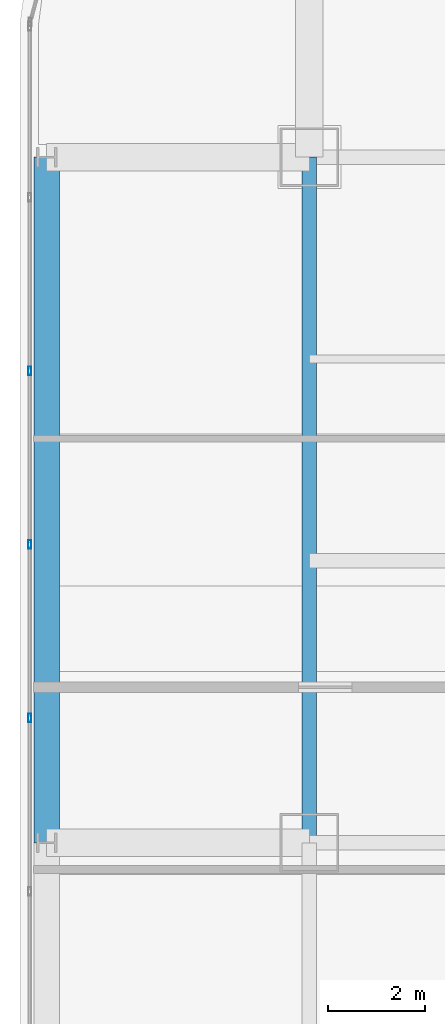
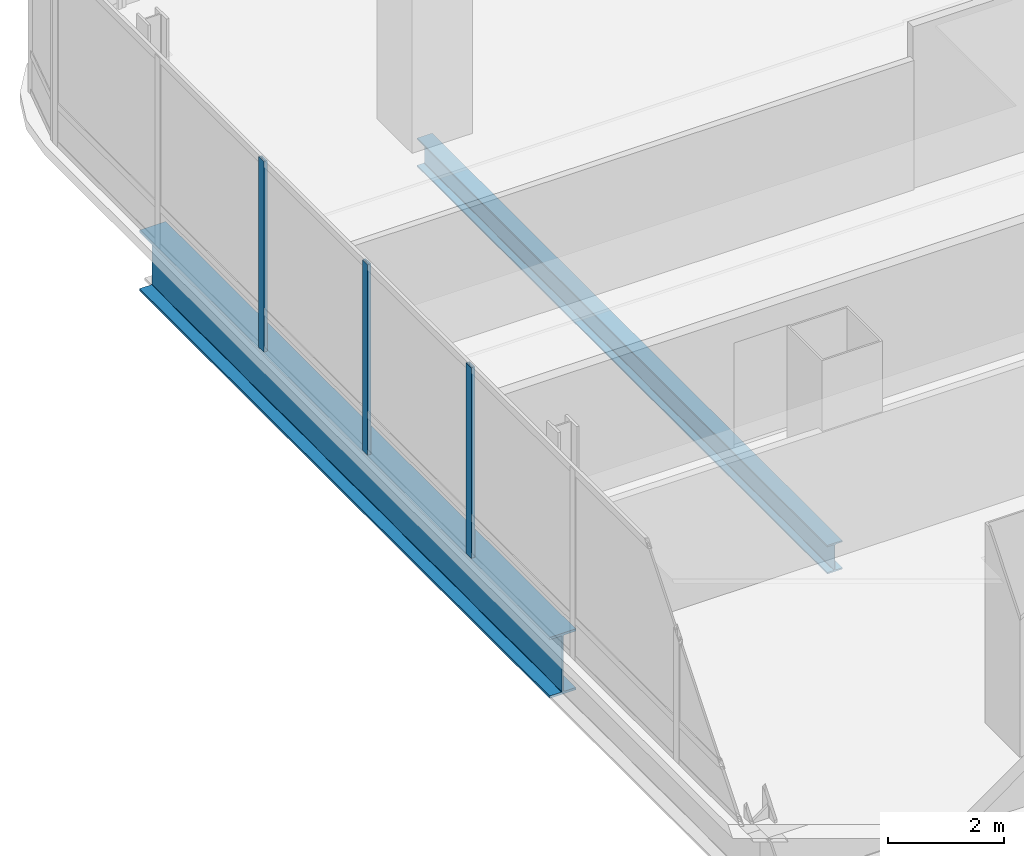
# One storey, part 13 of 41: 3 members, 2 beams, 1 element without a shape of its own.
"""IFC4 building model written with IfcOpenShell, lengths in metres."""

from ifc_helpers import new_model, si_unit, direction, frame, origin, origin_2d, place, context, subcontext, project, spatial, hollow_rectangle, i_section, extrude, material, material_profile, profile_set, type_object, element, aggregate, save


model = new_model("IFC4")

# Units and contexts
model_context = context("Model", 3, precision=1e-05, world=origin(), true_north=direction((0.0, 1.0)))
body_context = subcontext(model_context, "Body", "Model", "MODEL_VIEW")
ifc_project = project(units=[si_unit("LENGTHUNIT", "METRE"), si_unit("AREAUNIT", "SQUARE_METRE"), si_unit("VOLUMEUNIT", "CUBIC_METRE"), si_unit("PLANEANGLEUNIT", "RADIAN"), si_unit("MASSUNIT", "GRAM", prefix="KILO")], contexts=[model_context])

# Site, building, storey
site_placement = place(None, origin())
site = spatial("IfcSite", under=ifc_project, at=site_placement, CompositionType="ELEMENT")
building_placement = place(site_placement, origin())
building = spatial("IfcBuilding", under=site, at=building_placement, Name="Punatoya Terracotta Tower", CompositionType="ELEMENT")
storey_placement = place(building_placement, frame((0.0, 0.0, 309.0)))
storey = spatial("IfcBuildingStorey", under=building, at=storey_placement, Name="L73", CompositionType="ELEMENT", Elevation=309.0)

# Beams
ifc_material_1 = material(Name="Steel S355", Category="steel")
ifc_material_profile_1 = material_profile(ifc_material_1, i_section(OverallWidth=0.300048828125, OverallDepth=0.60009765625, WebThickness=0.015380859375, FlangeThickness=0.030029296875, FilletRadius=0.01806640625, at=origin_2d()))
ifc_profile_set_1 = profile_set([ifc_material_profile_1], Name="Steel S355")
beam_type_1 = type_object("IfcBeamType", Name="BM-PRI-600", PredefinedType="BEAM", material=ifc_profile_set_1)
beam_1_placement = place(storey_placement, frame((-19.10009765625, 3.39990234375, -0.5), z_axis=(0.0, 1.0, 0.0), x_axis=(-1.0, 0.0, 0.0)))
element("IfcBeam", 1, at=beam_1_placement, inside=storey, type_object=beam_type_1, Name="BM-L73-RG-W3", PredefinedType="BEAM", context=body_context, shape_type="SweptSolid", body=[
    extrude(i_section(OverallWidth=0.300048828125, OverallDepth=0.60009765625, WebThickness=0.015380859375, FlangeThickness=0.030029296875, FilletRadius=0.01806640625, at=origin_2d()), origin(), (0.0, 0.0, 1.0), 14.10009765625),
])
ifc_material_2 = material(Name="Steel S460", Category="steel")
ifc_material_profile_2 = material_profile(ifc_material_2, i_section(OverallWidth=0.52001953125, OverallDepth=1.280029296875, WebThickness=0.031982421875, FlangeThickness=0.050048828125, FilletRadius=0.01806640625, at=origin_2d()))
ifc_profile_set_2 = profile_set([ifc_material_profile_2], Name="Steel S460")
beam_type_2 = type_object("IfcBeamType", Name="BM-TG-NCK", PredefinedType="BEAM", material=ifc_profile_set_2)
beam_2_placement = place(storey_placement, frame((-24.5, 3.39990234375, -0.840087890625), z_axis=(0.0, 1.0, 0.0), x_axis=(-1.0, 0.0, 0.0)))
element("IfcBeam", 2, at=beam_2_placement, inside=storey, type_object=beam_type_2, Name="BM-L73-PER-W3", PredefinedType="BEAM", context=body_context, shape_type="SweptSolid", body=[
    extrude(i_section(OverallWidth=0.52001953125, OverallDepth=1.280029296875, WebThickness=0.031982421875, FlangeThickness=0.050048828125, FilletRadius=0.01806640625, at=origin_2d()), origin(), (0.0, 0.0, 1.0), 14.10009765625),
])

# Curtain wall, members
ifc_material_3 = material(Name="Aluminium 6063-T6 + Double Low-E Glass", Category="aluminium")
curtain_wall_type = type_object("IfcCurtainWallType", Name="CW-M3", PredefinedType="NOTDEFINED", material=ifc_material_3)
curtain_wall_placement = place(storey_placement, origin())
curtain_wall = element("IfcCurtainWall", 3, at=curtain_wall_placement, inside=storey, type_object=curtain_wall_type, Name="L73 Curtain Wall CW-L73-W13-1", PredefinedType="NOTDEFINED")
ifc_material_4 = material(Name="Aluminium 6063-T6", Category="aluminium")
ifc_material_profile_3 = material_profile(ifc_material_4, hollow_rectangle(XDim=0.070068359375, YDim=0.179931640625, WallThickness=0.00390625, at=origin_2d()))
ifc_profile_set_3 = profile_set([ifc_material_profile_3], Name="Aluminium 6063-T6")
member_type = type_object("IfcMemberType", Name="CW-MUL-M3", PredefinedType="MULLION", material=ifc_profile_set_3)
member_1_placement = place(storey_placement, frame((-24.85009765625, 13.10205078125, 0.0), z_axis=(0.0, 0.0, 1.0), x_axis=(1.0, 0.0, 0.0)))
member_1 = element("IfcMember", 4, at=member_1_placement, type_object=member_type, Name="CW-L73-W13-1 Mullion 02", PredefinedType="MULLION", context=body_context, shape_type="SweptSolid", body=[
    extrude(hollow_rectangle(XDim=0.070068359375, YDim=0.179931640625, WallThickness=0.00390625, at=origin_2d()), origin(), (0.0, 0.0, 1.0), 4.0),
])
member_2_placement = place(storey_placement, frame((-24.85009765625, 9.534912109375, 0.0), z_axis=(0.0, 0.0, 1.0), x_axis=(1.0, 0.0, 0.0)))
member_2 = element("IfcMember", 5, at=member_2_placement, type_object=member_type, Name="CW-L73-W13-1 Mullion 03", PredefinedType="MULLION", context=body_context, shape_type="SweptSolid", body=[
    extrude(hollow_rectangle(XDim=0.070068359375, YDim=0.179931640625, WallThickness=0.00390625, at=origin_2d()), origin(), (0.0, 0.0, 1.0), 4.0),
])
member_3_placement = place(storey_placement, frame((-24.85009765625, 5.96728515625, 0.0), z_axis=(0.0, 0.0, 1.0), x_axis=(1.0, 0.0, 0.0)))
member_3 = element("IfcMember", 6, at=member_3_placement, type_object=member_type, Name="CW-L73-W13-1 Mullion 04", PredefinedType="MULLION", context=body_context, shape_type="SweptSolid", body=[
    extrude(hollow_rectangle(XDim=0.070068359375, YDim=0.179931640625, WallThickness=0.00390625, at=origin_2d()), origin(), (0.0, 0.0, 1.0), 4.0),
])
aggregate(curtain_wall, [member_1, member_2, member_3])

save(model, "model.ifc")
